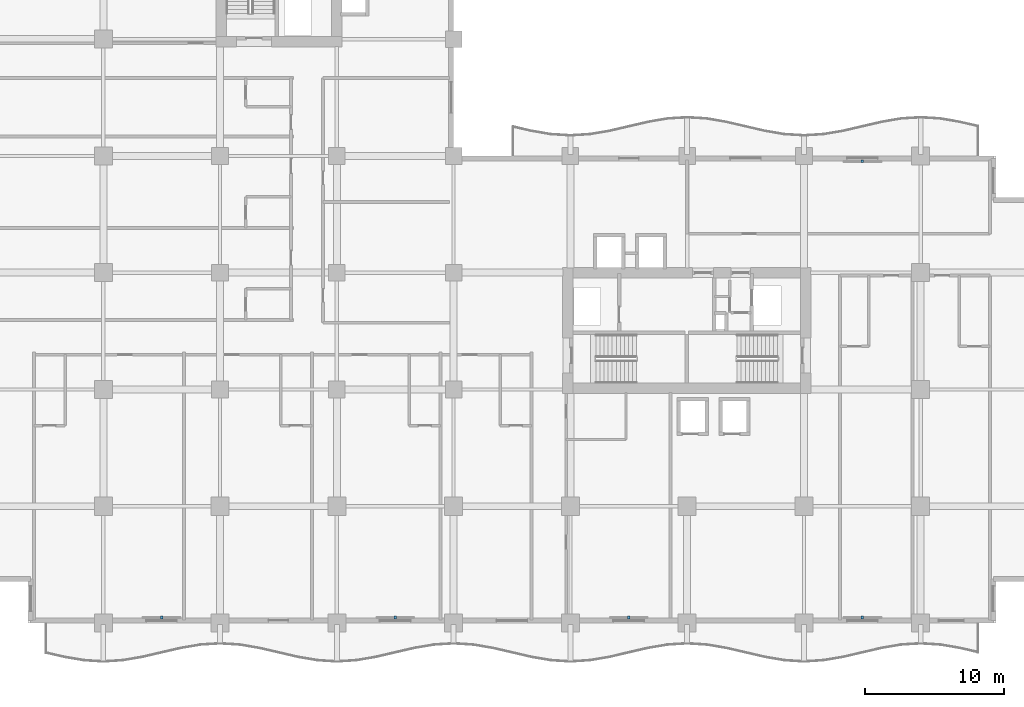
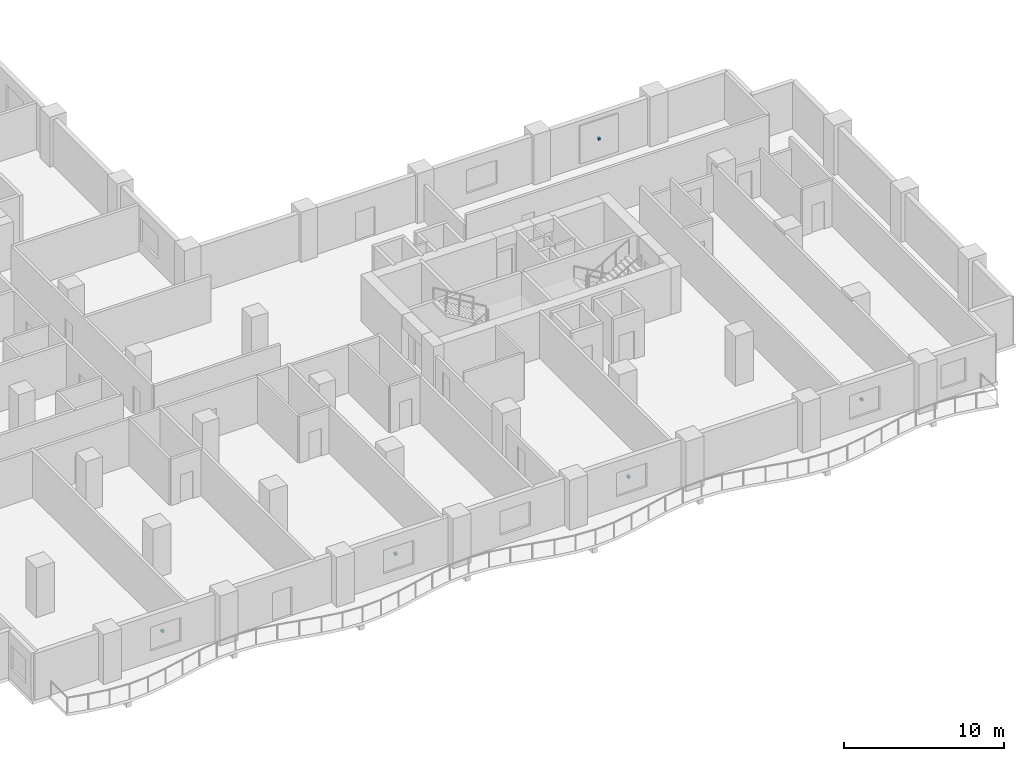
# One storey, part 16 of 21: 5 discrete accessories.
"""IFC4 building model written with IfcOpenShell, lengths in metres."""

import ifcopenshell
import ifcopenshell.guid

model = None  # the IFC model being written
_history = None  # IfcOwnerHistory: only IFC2X3 demands one
_inside = {}  # id of a spatial element -> (the spatial element, [elements in it])
_under = {}  # id of a project, library or spatial element -> (it, [spatial elements below it])
_declared = {}  # id of a project -> (the project, [libraries it declares])
_typed = {}  # id of a type object -> (the type object, [elements of that type])
_made_of = {}  # id of a material, layer set ... -> (it, [elements and type objects made of it])


def new_model(schema):
    """Start an empty IFC model of exactly this schema.

    Asked for "IFC4X3", IfcOpenShell would pick the latest addendum, in which some entities
    have other attributes; the version numbers below select the first issue.
    IFC2X3 requires an IfcOwnerHistory on every rooted entity: one is made here for all.
    """
    global model, _history
    if schema == "IFC4X3":
        model = ifcopenshell.file(schema_version=(4, 3, 0, 0))
    else:
        model = ifcopenshell.file(schema=schema)
    _inside.clear()
    _under.clear()
    _declared.clear()
    _typed.clear()
    _made_of.clear()
    _history = None
    if model.schema == "IFC2X3":
        org = make("IfcOrganization", Name="unknown")
        user = make(
            "IfcPersonAndOrganization",
            ThePerson=make("IfcPerson", FamilyName="unknown"),
            TheOrganization=org,
        )
        app = make(
            "IfcApplication",
            ApplicationDeveloper=org,
            Version="unknown",
            ApplicationFullName="unknown",
            ApplicationIdentifier="unknown",
        )
        _history = make(
            "IfcOwnerHistory",
            OwningUser=user,
            OwningApplication=app,
            ChangeAction="ADDED",
            CreationDate=0,
        )
    return model


def make(cls, **values):
    """One entity of the class cls with the attributes given. An attribute that is None is left unset."""
    return model.create_entity(
        cls, **{name: value for name, value in values.items() if value is not None}
    )


def rooted(cls, **values):
    """An entity with a GlobalId (a new one), such as an element, a storey or a relation."""
    return make(cls, GlobalId=ifcopenshell.guid.new(), OwnerHistory=_history, **values)


def si_unit(unit_type, name, prefix=None):
    """IfcSIUnit, for example si_unit("LENGTHUNIT", "METRE", prefix="MILLI")."""
    return make("IfcSIUnit", UnitType=unit_type, Prefix=prefix, Name=name)


def assignment(units):
    """IfcUnitAssignment: the units of a project."""
    return None if units is None else make("IfcUnitAssignment", Units=units)


def point(xyz):
    """IfcCartesianPoint."""
    return None if xyz is None else make("IfcCartesianPoint", Coordinates=xyz)


def direction(xyz):
    """IfcDirection."""
    return None if xyz is None else make("IfcDirection", DirectionRatios=xyz)


def frame(location, z_axis=None, x_axis=None):
    """IfcAxis2Placement3D, a coordinate frame: its origin and axes. An axis left out is left unset."""
    return make(
        "IfcAxis2Placement3D",
        Location=point(location),
        Axis=direction(z_axis),
        RefDirection=direction(x_axis),
    )


def frame_2d(location, x_axis=None):
    """IfcAxis2Placement2D, a coordinate frame in the plane: its origin and x axis."""
    return make(
        "IfcAxis2Placement2D", Location=point(location), RefDirection=direction(x_axis)
    )


def origin():
    """The frame at (0, 0, 0) with its axes left unset."""
    return frame((0.0, 0.0, 0.0))


def origin_2d():
    """The frame at (0, 0) in the plane with its x axis left unset."""
    return frame_2d((0.0, 0.0))


def place(relative_to, where):
    """IfcLocalPlacement: puts the frame where relative to a parent placement (None: the world)."""
    return make(
        "IfcLocalPlacement", PlacementRelTo=relative_to, RelativePlacement=where
    )


def context(
    kind, dimensions, precision=None, world=None, true_north=None, identifier=None
):
    """IfcGeometricRepresentationContext, for example the 3D "Model" context."""
    return make(
        "IfcGeometricRepresentationContext",
        ContextIdentifier=identifier,
        ContextType=kind,
        CoordinateSpaceDimension=dimensions,
        Precision=precision,
        WorldCoordinateSystem=world,
        TrueNorth=true_north,
    )


def subcontext(parent, identifier, kind, view, scale=None):
    """IfcGeometricRepresentationSubContext, for example "Body" below "Model"."""
    return make(
        "IfcGeometricRepresentationSubContext",
        ContextIdentifier=identifier,
        ContextType=kind,
        ParentContext=parent,
        TargetScale=scale,
        TargetView=view,
    )


def project(units=None, contexts=None):
    """IfcProject with its units and contexts."""
    return rooted(
        "IfcProject",
        Name="project",
        RepresentationContexts=contexts,
        UnitsInContext=assignment(units),
    )


def spatial(cls, under=None, at=None, **own):
    """A site, building, storey or space (cls), placed at a placement, below another one or the project."""
    s = rooted(cls, ObjectPlacement=at, **own)
    if under is not None:
        _under.setdefault(under.id(), (under, []))[1].append(s)
    return s


def profile(cls, at=None, kind="AREA", **sizes):
    """A parametric profile (cls). Its sizes go by their IFC names, for example OverallWidth=200.0."""
    return make(cls, ProfileType=kind, Position=at, **sizes)


def rectangle(**sizes):
    """IfcRectangleProfileDef."""
    return profile("IfcRectangleProfileDef", **sizes)


def extrude(swept, where, along, depth):
    """IfcExtrudedAreaSolid: the profile swept, set in the frame where, extruded along a direction by depth."""
    return make(
        "IfcExtrudedAreaSolid",
        SweptArea=swept,
        Position=where,
        ExtrudedDirection=direction(along),
        Depth=depth,
    )


def shape(context_of_items, identifier, shape_type, items):
    """IfcShapeRepresentation: the items that make up one representation, for example the "Body"."""
    return make(
        "IfcShapeRepresentation",
        ContextOfItems=context_of_items,
        RepresentationIdentifier=identifier,
        RepresentationType=shape_type,
        Items=items,
    )


def material(Name=None, Category=None):
    """IfcMaterial."""
    return make("IfcMaterial", Name=Name, Category=Category)


def made_of(thing, what):
    """Note that an element or type object is made of a material, layer set ...; save() writes the relation."""
    if what is not None:
        _made_of.setdefault(what.id(), (what, []))[1].append(thing)
    return thing


def type_object(cls, material=None, **own):
    """A type object (cls), such as IfcWallType, which elements share."""
    return made_of(rooted(cls, **own), material)


def element(
    cls,
    number,
    at=None,
    inside=None,
    cuts=None,
    type_object=None,
    material=None,
    context=None,
    identifier="Body",
    shape_type=None,
    held_by="IfcProductDefinitionShape",
    body=None,
    shapes=None,
    **own,
):
    """One element of the class cls, such as IfcWall. Its Tag is "e" and its number.

    at: its placement. inside: the storey or other place that contains it. cuts: it is an
    opening in that element (IfcRelVoidsElement). A single representation is given by context,
    identifier, shape_type and body (its items); several are given by shapes. held_by: the class
    of the entity that holds the representations. save() writes the other relations.
    """
    e = rooted(cls, Tag="e%d" % number, ObjectPlacement=at, **own)
    if body is not None:
        shapes = [shape(context, identifier, shape_type, body)]
    if shapes is not None:
        e.Representation = make(held_by, Representations=shapes)
    if inside is not None:
        _inside.setdefault(inside.id(), (inside, []))[1].append(e)
    if cuts is not None:
        rooted(
            "IfcRelVoidsElement", RelatingBuildingElement=cuts, RelatedOpeningElement=e
        )
    if type_object is not None:
        _typed.setdefault(type_object.id(), (type_object, []))[1].append(e)
    return made_of(e, material)


def aggregate(whole, parts):
    """IfcRelAggregates: a whole, such as a stair, and the parts it consists of."""
    return rooted("IfcRelAggregates", RelatingObject=whole, RelatedObjects=parts)


def save(model, path):
    """Write the relations noted so far, then the file.

    IfcRelAggregates (storeys below a building ...), IfcRelContainedInSpatialStructure (elements
    in a storey), IfcRelDefinesByType, IfcRelAssociatesMaterial and IfcRelDeclares: one each for
    every whole, place, type object, material and project.
    """
    for whole, parts in _under.values():
        aggregate(whole, parts)
    for where, things in _inside.values():
        rooted(
            "IfcRelContainedInSpatialStructure",
            RelatedElements=things,
            RelatingStructure=where,
        )
    for kind, things in _typed.values():
        rooted("IfcRelDefinesByType", RelatedObjects=things, RelatingType=kind)
    for what, things in _made_of.values():
        rooted("IfcRelAssociatesMaterial", RelatedObjects=things, RelatingMaterial=what)
    for by, libraries in _declared.values():
        rooted("IfcRelDeclares", RelatingContext=by, RelatedDefinitions=libraries)
    model.write(path)


model = new_model("IFC4")

# Units and contexts
model_context = context("Model", 3, precision=1e-05, world=origin(), true_north=direction((0.0, 1.0)))
body_context = subcontext(model_context, "Body", "Model", "MODEL_VIEW")
ifc_project = project(units=[si_unit("LENGTHUNIT", "METRE"), si_unit("AREAUNIT", "SQUARE_METRE"), si_unit("VOLUMEUNIT", "CUBIC_METRE"), si_unit("PLANEANGLEUNIT", "RADIAN"), si_unit("MASSUNIT", "GRAM", prefix="KILO")], contexts=[model_context])

# Site, building, storey
site_placement = place(None, origin())
site = spatial("IfcSite", under=ifc_project, at=site_placement, CompositionType="ELEMENT")
building_placement = place(site_placement, origin())
building = spatial("IfcBuilding", under=site, at=building_placement, Name="Koriwani Terraces Tower", CompositionType="ELEMENT")
storey_placement = place(building_placement, frame((0.0, 0.0, 111.39990234375)))
storey = spatial("IfcBuildingStorey", under=building, at=storey_placement, Name="L26", CompositionType="ELEMENT", Elevation=111.39990234375)

# Discrete accessories
ifc_material = material(Name="Steel ASTM A572 Grade 50", Category="steel")
discrete_accessory_type = type_object("IfcDiscreteAccessoryType", Name="BAGUETTE_STANDOFF_BRACKET", PredefinedType="BRACKET", material=ifc_material)
for number, where, z_axis, x_axis, name in (
    (1, (63.0, 33.2099609375, 1.68505859375), (0.0, 0.0, 1.0), (1.0, 0.0, 0.0), "L26 Terracotta Baguette Bracket (NE-11)"),
    (2, (12.60009765625, 0.389892578125, 1.68505859375), (0.0, 0.0, 1.0), (-1.0, 0.0, 0.0), "L26 Terracotta Baguette Bracket (S-3)"),
    (3, (29.39990234375, 0.389892578125, 1.68505859375), (0.0, 0.0, 1.0), (-1.0, 0.0, 0.0), "L26 Terracotta Baguette Bracket (S-9)"),
    (4, (46.199951171875, 0.389892578125, 1.68505859375), (0.0, 0.0, 1.0), (-1.0, 0.0, 0.0), "L26 Terracotta Baguette Bracket (S-15)"),
    (5, (63.0, 0.389892578125, 1.68505859375), (0.0, 0.0, 1.0), (-1.0, 0.0, 0.0), "L26 Terracotta Baguette Bracket (S-21)"),
):
    element("IfcDiscreteAccessory", number, at=place(storey_placement, frame(where, z_axis=z_axis, x_axis=x_axis)), inside=storey, type_object=discrete_accessory_type, Name=name, PredefinedType="BRACKET", context=body_context, shape_type="SweptSolid", body=[
        extrude(rectangle(XDim=0.159912109375, YDim=0.199951171875, at=origin_2d()), origin(), (0.0, 0.0, 1.0), 0.179931640625),
    ])

save(model, "model.ifc")
